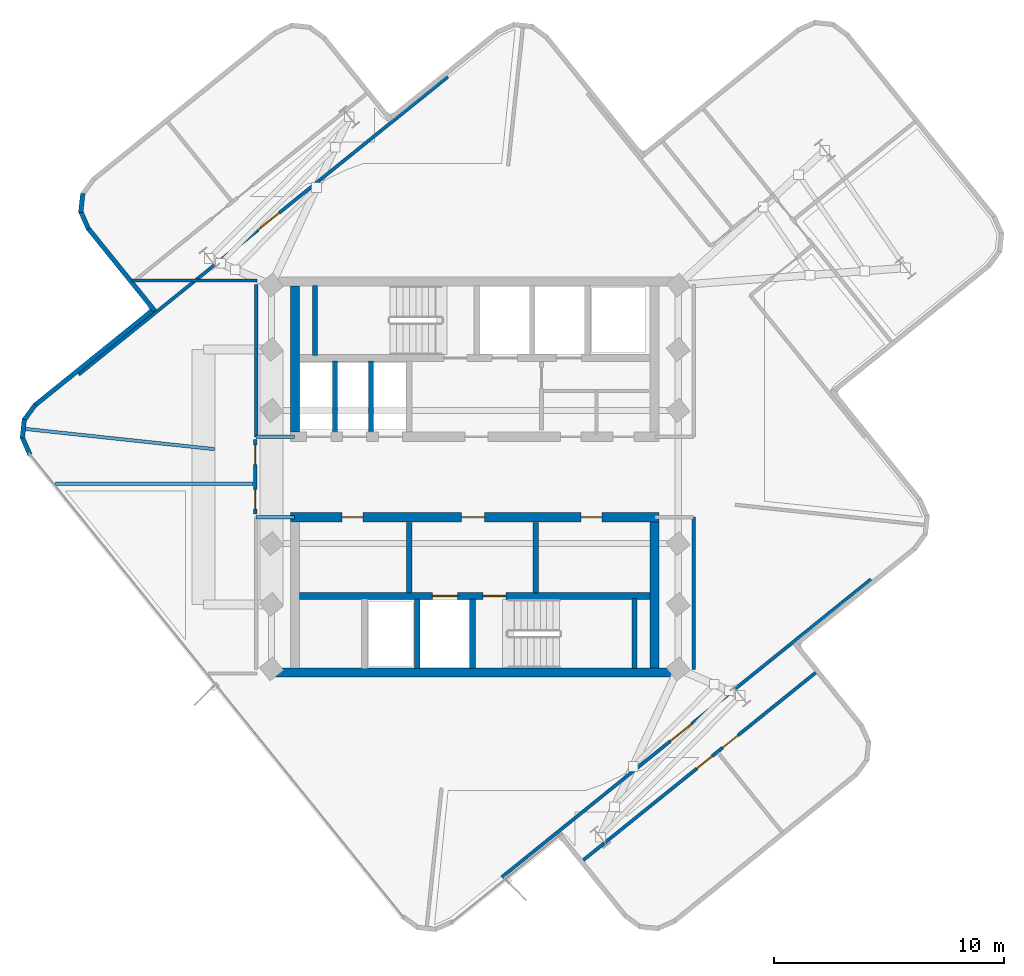
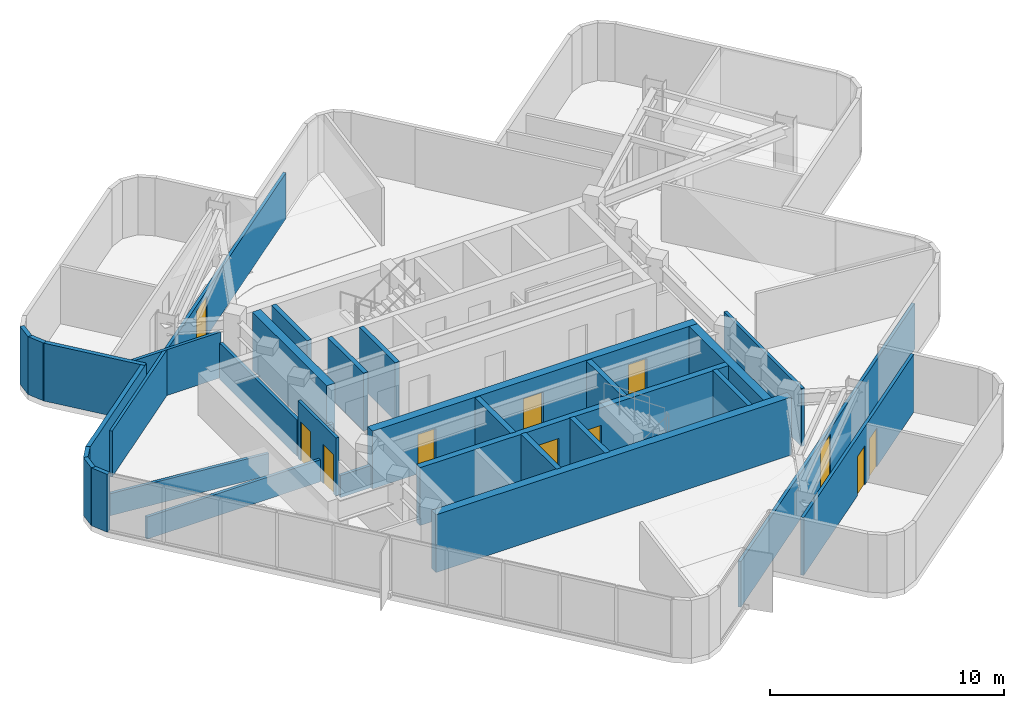
# One storey, part 5 of 9: 31 walls, 11 doors, 11 openings.
"""IFC4 building model written with IfcOpenShell, lengths in metres."""

from ifc_helpers import new_model, si_unit, direction, frame, frame_2d, origin, place, context, subcontext, project, spatial, rectangle, extrude, material, layer, layer_set, type_object, element, fill, save


model = new_model("IFC4")

# Units and contexts
model_context = context("Model", 3, precision=1e-05, world=origin(), true_north=direction((0.0, 1.0)))
body_context = subcontext(model_context, "Body", "Model", "MODEL_VIEW")
ifc_project = project(units=[si_unit("LENGTHUNIT", "METRE"), si_unit("AREAUNIT", "SQUARE_METRE"), si_unit("VOLUMEUNIT", "CUBIC_METRE"), si_unit("PLANEANGLEUNIT", "RADIAN"), si_unit("MASSUNIT", "GRAM", prefix="KILO")], contexts=[model_context])

# Site, building, storey
site_placement = place(None, origin())
site = spatial("IfcSite", under=ifc_project, at=site_placement, CompositionType="ELEMENT")
building_placement = place(site_placement, origin())
building = spatial("IfcBuilding", under=site, at=building_placement, Name="Solmarez Civic Tower", CompositionType="ELEMENT")
storey_placement = place(building_placement, frame((0.0, 0.0, 235.97998046875)))
storey = spatial("IfcBuildingStorey", under=building, at=storey_placement, Name="L63", CompositionType="ELEMENT", Elevation=235.97998046875)

# Walls
ifc_material_1 = material(Name="Concrete C50/60", Category="concrete")
ifc_layer_1 = layer(ifc_material_1, 0.39990234375)
ifc_layer_set_1 = layer_set([ifc_layer_1], Name="Concrete C50/60")
wall_type_1 = type_object("IfcWallType", Name="WALL-CORE-400", PredefinedType="SHEAR", material=ifc_layer_set_1)
wall_1_placement = place(storey_placement, frame((-7.820068359375, 1.949951171875, 0.0), z_axis=(0.0, 0.0, 1.0), x_axis=(0.0, 1.0, 0.0)))
element("IfcWall", 1, at=wall_1_placement, inside=storey, type_object=wall_type_1, Name="L63 Split-Core Structural Wall NCW-W-L63", PredefinedType="SHEAR", context=body_context, shape_type="SweptSolid", body=[
    extrude(rectangle(XDim=6.360107421875, YDim=0.39990234375, at=frame_2d((3.18017578125, 0.0))), origin(), (0.0, 0.0, 1.0), 3.02001953125),
])
wall_2_placement = place(storey_placement, frame((8.780029296875, -8.510009765625, 0.0), z_axis=(0.0, 0.0, 1.0), x_axis=(-1.0, 0.0, 0.0)))
element("IfcWall", 2, at=wall_2_placement, inside=storey, type_object=wall_type_1, Name="L63 Split-Core Structural Wall SCW-S-L63", PredefinedType="SHEAR", context=body_context, shape_type="SweptSolid", body=[
    extrude(rectangle(XDim=17.56005859375, YDim=0.39990234375, at=frame_2d((8.780029296875, 0.0))), origin(), (0.0, 0.0, 1.0), 3.02001953125),
])

# Wall, openings, doors
wall_3_placement = place(storey_placement, frame((-8.02001953125, -1.75, 0.0), z_axis=(0.0, 0.0, 1.0), x_axis=(1.0, 0.0, 0.0)))
wall_3 = element("IfcWall", 3, at=wall_3_placement, inside=storey, type_object=wall_type_1, Name="L63 Split-Core Structural Wall SCW-N-L63", PredefinedType="SHEAR", context=body_context, shape_type="SweptSolid", body=[
    extrude(rectangle(XDim=16.0400390625, YDim=0.39990234375, at=frame_2d((8.02001953125, 0.0))), origin(), (0.0, 0.0, 1.0), 3.02001953125),
])
opening_1_placement = place(wall_3_placement, frame((7.449951171875, 0.0, 0.0)))
opening_1 = element("IfcOpeningElement", 4, at=opening_1_placement, cuts=wall_3, Name="Opening D-04", PredefinedType="OPENING", context=body_context, shape_type="SweptSolid", body=[
    extrude(rectangle(XDim=1.0, YDim=2.10009765625, at=frame_2d((0.5, 1.050048828125))), frame((0.0, 0.2099609375, 0.0), z_axis=(0.0, -1.0, 0.0), x_axis=(1.0, 0.0, 0.0)), (0.0, 0.0, 1.0), 0.419921875),
])
opening_2_placement = place(wall_3_placement, frame((12.64990234375, 0.0, 0.0)))
opening_2 = element("IfcOpeningElement", 5, at=opening_2_placement, cuts=wall_3, Name="Opening D-09", PredefinedType="OPENING", context=body_context, shape_type="SweptSolid", body=[
    extrude(rectangle(XDim=0.89990234375, YDim=2.06005859375, at=frame_2d((0.449951171875, 1.030029296875))), frame((0.0, 0.2099609375, 0.0), z_axis=(0.0, -1.0, 0.0), x_axis=(1.0, 0.0, 0.0)), (0.0, 0.0, 1.0), 0.419921875),
])
opening_3_placement = place(wall_3_placement, frame((2.25, 0.0, 0.0)))
opening_3 = element("IfcOpeningElement", 6, at=opening_3_placement, cuts=wall_3, Name="Opening D-09", PredefinedType="OPENING", context=body_context, shape_type="SweptSolid", body=[
    extrude(rectangle(XDim=0.89990234375, YDim=2.06005859375, at=frame_2d((0.449951171875, 1.030029296875))), frame((0.0, 0.2099609375, 0.0), z_axis=(0.0, -1.0, 0.0), x_axis=(1.0, 0.0, 0.0)), (0.0, 0.0, 1.0), 0.419921875),
])
ifc_material_2 = material(Name="Steel-Faced Acoustic Fire Door", Category="steel")
door_type_1 = type_object("IfcDoorType", Name="DOOR-FD60-1000", OperationType="NOTDEFINED", PredefinedType="DOOR", material=ifc_material_2)
door_1_placement = place(opening_1_placement, origin())
door_1 = element("IfcDoor", 7, at=door_1_placement, inside=storey, type_object=door_type_1, Name="L63 South Firefighting Lobby Door", OperationType="SINGLE_SWING_LEFT", OverallHeight=2.10009765625, OverallWidth=1.0, PredefinedType="DOOR", context=body_context, shape_type="SweptSolid", body=[
    extrude(rectangle(XDim=1.0, YDim=2.10009765625, at=frame_2d((0.5, 1.050048828125))), frame((0.0, 0.02490234375, 0.0), z_axis=(0.0, -1.0, 0.0), x_axis=(1.0, 0.0, 0.0)), (0.0, 0.0, 1.0), 0.050048828125),
])
fill(opening_1, door_1)
ifc_material_3 = material(Name="Fire-Rated Service Core Door", Category="wood")
door_type_2 = type_object("IfcDoorType", Name="DOOR-FD60-900", OperationType="NOTDEFINED", PredefinedType="DOOR", material=ifc_material_3)
door_2_placement = place(opening_2_placement, origin())
door_2 = element("IfcDoor", 8, at=door_2_placement, inside=storey, type_object=door_type_2, Name="L63 Freed Hoistway Mailroom Door", OperationType="SINGLE_SWING_LEFT", OverallHeight=2.06005859375, OverallWidth=0.89990234375, PredefinedType="DOOR", context=body_context, shape_type="SweptSolid", body=[
    extrude(rectangle(XDim=0.89990234375, YDim=2.06005859375, at=frame_2d((0.449951171875, 1.030029296875))), frame((0.0, 0.02490234375, 0.0), z_axis=(0.0, -1.0, 0.0), x_axis=(1.0, 0.0, 0.0)), (0.0, 0.0, 1.0), 0.050048828125),
])
fill(opening_2, door_2)
door_3_placement = place(opening_3_placement, origin())
door_3 = element("IfcDoor", 9, at=door_3_placement, inside=storey, type_object=door_type_2, Name="L63 Delegation Tea Pantry Door", OperationType="SINGLE_SWING_RIGHT", OverallHeight=2.06005859375, OverallWidth=0.89990234375, PredefinedType="DOOR", context=body_context, shape_type="SweptSolid", body=[
    extrude(rectangle(XDim=0.89990234375, YDim=2.06005859375, at=frame_2d((0.449951171875, 1.030029296875))), frame((0.0, 0.02490234375, 0.0), z_axis=(0.0, -1.0, 0.0), x_axis=(1.0, 0.0, 0.0)), (0.0, 0.0, 1.0), 0.050048828125),
])
fill(opening_3, door_3)

# Walls
wall_4_placement = place(storey_placement, frame((7.820068359375, -1.949951171875, 0.0), z_axis=(0.0, 0.0, 1.0), x_axis=(0.0, -1.0, 0.0)))
element("IfcWall", 10, at=wall_4_placement, inside=storey, type_object=wall_type_1, Name="L63 Split-Core Structural Wall SCW-E-L63", PredefinedType="SHEAR", context=body_context, shape_type="SweptSolid", body=[
    extrude(rectangle(XDim=6.360107421875, YDim=0.39990234375, at=frame_2d((3.18017578125, 0.0))), origin(), (0.0, 0.0, 1.0), 3.02001953125),
])
ifc_material_4 = material(Name="Precast concrete C40/50", Category="concrete")
ifc_layer_2 = layer(ifc_material_4, 0.199951171875)
ifc_layer_set_2 = layer_set([ifc_layer_2], Name="Precast concrete C40/50")
wall_type_2 = type_object("IfcWallType", Name="WALL-EXT-200", PredefinedType="SOLIDWALL", material=ifc_layer_set_2)
wall_5_placement = place(storey_placement, frame((-19.35888671875, 0.970947265625, 0.0), z_axis=(0.0, 0.0, 1.0), x_axis=(-0.405301422885, 0.914183108905, 0.0)))
element("IfcWall", 11, at=wall_5_placement, inside=storey, type_object=wall_type_2, Name="L63 Exterior Precast Wall 7", PredefinedType="SOLIDWALL", context=body_context, shape_type="SweptSolid", body=[
    extrude(rectangle(XDim=0.839111328125, YDim=0.199951171875, at=frame_2d((0.41943359375, 0.0))), origin(), (0.0, 0.0, 1.0), 3.02001953125),
])
wall_6_placement = place(storey_placement, frame((-19.69189453125, 1.68994140625, 0.0), z_axis=(0.0, 0.0, 1.0), x_axis=(0.10656447925, 0.994305793889, 0.0)))
element("IfcWall", 12, at=wall_6_placement, inside=storey, type_object=wall_type_2, Name="L63 Exterior Precast Wall 8", PredefinedType="SOLIDWALL", context=body_context, shape_type="SweptSolid", body=[
    extrude(rectangle(XDim=0.82470703125, YDim=0.199951171875, at=frame_2d((0.412353515625, 0.0))), origin(), (0.0, 0.0, 1.0), 3.02001953125),
])
wall_7_placement = place(storey_placement, frame((-19.6220703125, 2.465087890625, 0.0), z_axis=(0.0, 0.0, 1.0), x_axis=(0.590315771763, 0.807172403894, 0.0)))
element("IfcWall", 13, at=wall_7_placement, inside=storey, type_object=wall_type_2, Name="L63 Exterior Precast Wall 9", PredefinedType="SOLIDWALL", context=body_context, shape_type="SweptSolid", body=[
    extrude(rectangle(XDim=0.838623046875, YDim=0.199951171875, at=frame_2d((0.41943359375, 0.0))), origin(), (0.0, 0.0, 1.0), 3.02001953125),
])
wall_8_placement = place(storey_placement, frame((-19.160888671875, 3.10595703125, 0.0), z_axis=(0.0, 0.0, 1.0), x_axis=(0.778151520732, 0.62807659627, 0.0)))
element("IfcWall", 14, at=wall_8_placement, inside=storey, type_object=wall_type_2, Name="L63 Exterior Precast Wall 10", PredefinedType="SOLIDWALL", context=body_context, shape_type="SweptSolid", body=[
    extrude(rectangle(XDim=6.741455078125, YDim=0.199951171875, at=frame_2d((3.37060546875, 0.0))), origin(), (0.0, 0.0, 1.0), 3.02001953125),
])
wall_9_placement = place(storey_placement, frame((-13.927001953125, 7.22802734375, 0.0), z_axis=(0.0, 0.0, 1.0), x_axis=(-0.628127692416, 0.778110276259, 0.0)))
element("IfcWall", 15, at=wall_9_placement, inside=storey, type_object=wall_type_2, Name="L63 Exterior Precast Wall 13", PredefinedType="SOLIDWALL", context=body_context, shape_type="SweptSolid", body=[
    extrude(rectangle(XDim=4.640869140625, YDim=0.199951171875, at=frame_2d((2.3203125, 0.0))), origin(), (0.0, 0.0, 1.0), 3.02001953125),
])
wall_10_placement = place(storey_placement, frame((-16.81591796875, 10.797119140625, 0.0), z_axis=(0.0, 0.0, 1.0), x_axis=(-0.404435765222, 0.914566406451, 0.0)))
element("IfcWall", 16, at=wall_10_placement, inside=storey, type_object=wall_type_2, Name="L63 Exterior Precast Wall 14", PredefinedType="SOLIDWALL", context=body_context, shape_type="SweptSolid", body=[
    extrude(rectangle(XDim=0.83837890625, YDim=0.199951171875, at=frame_2d((0.419189453125, 0.0))), origin(), (0.0, 0.0, 1.0), 3.02001953125),
])
wall_11_placement = place(storey_placement, frame((-17.14794921875, 11.51611328125, 0.0), z_axis=(0.0, 0.0, 1.0), x_axis=(0.106595853222, 0.994302430891, 0.0)))
element("IfcWall", 17, at=wall_11_placement, inside=storey, type_object=wall_type_2, Name="L63 Exterior Precast Wall 15", PredefinedType="SOLIDWALL", context=body_context, shape_type="SweptSolid", body=[
    extrude(rectangle(XDim=0.824462890625, YDim=0.199951171875, at=frame_2d((0.412109375, 0.0))), origin(), (0.0, 0.0, 1.0), 3.02001953125),
])
ifc_material_5 = material(Name="Gypsum Board Acoustic Steel-Stud Partition", Category="steel")
ifc_layer_3 = layer(ifc_material_5, 0.14990234375)
ifc_layer_set_3 = layer_set([ifc_layer_3], Name="Gypsum Board Acoustic Steel-Stud Partition")
wall_type_3 = type_object("IfcWallType", Name="WALL-INT-FIRE-150", PredefinedType="PARTITIONING", material=ifc_layer_set_3)
wall_12_placement = place(storey_placement, frame((-9.52001953125, 1.75, 0.0), z_axis=(0.0, 0.0, 1.0), x_axis=(0.0, 1.0, 0.0)))
element("IfcWall", 18, at=wall_12_placement, inside=storey, type_object=wall_type_3, Name="L63 Interior Partition CHW-L63-WN1", PredefinedType="PARTITIONING", context=body_context, shape_type="SweptSolid", body=[
    extrude(rectangle(XDim=6.6298828125, YDim=0.14990234375, at=frame_2d((3.31494140625, 0.0))), origin(), (0.0, 0.0, 1.0), 1.904052734375),
])
for number, where, z_axis, x_axis, name in (
    (19, (-7.85009765625, 1.75, 0.0), (0.0, 0.0, 1.0), (-1.0, 0.0, 0.0), "L63 Interior Partition CHW-L63-WN3"),
    (20, (-7.85009765625, -1.75, 0.0), (0.0, 0.0, 1.0), (-1.0, 0.0, 0.0), "L63 Interior Partition CHW-L63-WS3"),
):
    element("IfcWall", number, at=place(storey_placement, frame(where, z_axis=z_axis, x_axis=x_axis)), inside=storey, type_object=wall_type_3, Name=name, PredefinedType="PARTITIONING", context=body_context, shape_type="SweptSolid", body=[
        extrude(rectangle(XDim=1.669921875, YDim=0.14990234375, at=frame_2d((0.8349609375, 0.0))), origin(), (0.0, 0.0, 1.0), 1.14990234375),
    ])
wall_13_placement = place(storey_placement, frame((9.52001953125, -8.3798828125, 0.0), z_axis=(0.0, 0.0, 1.0), x_axis=(0.0, 1.0, 0.0)))
element("IfcWall", 21, at=wall_13_placement, inside=storey, type_object=wall_type_3, Name="L63 Interior Partition CHW-L63-ES1", PredefinedType="PARTITIONING", context=body_context, shape_type="SweptSolid", body=[
    extrude(rectangle(XDim=6.6298828125, YDim=0.14990234375, at=frame_2d((3.31494140625, 0.0))), origin(), (0.0, 0.0, 1.0), 3.02001953125),
])
ifc_layer_4 = layer(ifc_material_5, 0.14501953125)
ifc_layer_set_4 = layer_set([ifc_layer_4], Name="Gypsum Board Acoustic Steel-Stud Partition")
wall_type_4 = type_object("IfcWallType", Name="WALL-INT-PART-150", PredefinedType="PARTITIONING", material=ifc_layer_set_4)
wall_14_placement = place(storey_placement, frame((-18.241943359375, -0.300048828125, 0.0), z_axis=(0.0, 0.0, 1.0), x_axis=(1.0, 0.0, 0.0)))
element("IfcWall", 22, at=wall_14_placement, inside=storey, type_object=wall_type_4, Name="L63 Interior Partition PT-L63-WH-DIV", PredefinedType="PARTITIONING", context=body_context, shape_type="SweptSolid", body=[
    extrude(rectangle(XDim=8.58203125, YDim=0.14501953125, at=frame_2d((4.291015625, 0.0))), origin(), (0.0, 0.0, 1.0), 1.14990234375),
])
wall_15_placement = place(storey_placement, frame((-14.910888671875, 8.550048828125, 0.0), z_axis=(0.0, 0.0, 1.0), x_axis=(1.0, 0.0, 0.0)))
element("IfcWall", 23, at=wall_15_placement, inside=storey, type_object=wall_type_4, Name="L63 Interior Partition PT-L63-WH-BN", PredefinedType="PARTITIONING", context=body_context, shape_type="SweptSolid", body=[
    extrude(rectangle(XDim=5.430908203125, YDim=0.14501953125, at=frame_2d((2.71533203125, 0.0))), origin(), (0.0, 0.0, 1.0), 2.39013671875),
])

# Wall, openings, doors
wall_16_placement = place(storey_placement, frame((-9.56005859375, -1.6201171875, 0.0), z_axis=(0.0, 0.0, 1.0), x_axis=(0.0, 1.0, 0.0)))
wall_16 = element("IfcWall", 24, at=wall_16_placement, inside=storey, type_object=wall_type_4, Name="L63 Interior Partition PT-L63-WH-ENT", PredefinedType="PARTITIONING", context=body_context, shape_type="SweptSolid", body=[
    extrude(rectangle(XDim=3.240234375, YDim=0.14501953125, at=frame_2d((1.6201171875, 0.0))), origin(), (0.0, 0.0, 1.0), 3.02001953125),
])
opening_4_placement = place(wall_16_placement, frame((0.219970703125, 0.0, 0.0)))
opening_4 = element("IfcOpeningElement", 25, at=opening_4_placement, cuts=wall_16, Name="Opening D-14", PredefinedType="OPENING", context=body_context, shape_type="SweptSolid", body=[
    extrude(rectangle(XDim=0.860107421875, YDim=2.0400390625, at=frame_2d((0.43017578125, 1.02001953125))), frame((0.0, 0.08251953125, 0.0), z_axis=(0.0, -1.0, 0.0), x_axis=(1.0, 0.0, 0.0)), (0.0, 0.0, 1.0), 0.1650390625),
])
opening_5_placement = place(wall_16_placement, frame((2.159912109375, 0.0, 0.0)))
opening_5 = element("IfcOpeningElement", 26, at=opening_5_placement, cuts=wall_16, Name="Opening D-14", PredefinedType="OPENING", context=body_context, shape_type="SweptSolid", body=[
    extrude(rectangle(XDim=0.860107421875, YDim=2.0400390625, at=frame_2d((0.43017578125, 1.02001953125))), frame((0.0, 0.08251953125, 0.0), z_axis=(0.0, -1.0, 0.0), x_axis=(1.0, 0.0, 0.0)), (0.0, 0.0, 1.0), 0.1650390625),
])
ifc_material_6 = material(Name="Timber Storage and Pantry Door", Category="wood")
door_type_3 = type_object("IfcDoorType", Name="DOOR-INT-850", OperationType="NOTDEFINED", PredefinedType="DOOR", material=ifc_material_6)
door_4_placement = place(opening_4_placement, origin())
door_4 = element("IfcDoor", 27, at=door_4_placement, inside=storey, type_object=door_type_3, Name="L63 Civic Multi-Purpose Room West Second Door", OperationType="SINGLE_SWING_RIGHT", OverallHeight=2.0400390625, OverallWidth=0.860107421875, PredefinedType="DOOR", context=body_context, shape_type="SweptSolid", body=[
    extrude(rectangle(XDim=0.860107421875, YDim=2.0400390625, at=frame_2d((0.43017578125, 1.02001953125))), frame((0.0, 0.02490234375, 0.0), z_axis=(0.0, -1.0, 0.0), x_axis=(1.0, 0.0, 0.0)), (0.0, 0.0, 1.0), 0.050048828125),
])
fill(opening_4, door_4)
door_5_placement = place(opening_5_placement, origin())
door_5 = element("IfcDoor", 28, at=door_5_placement, inside=storey, type_object=door_type_3, Name="L63 Delegates Sitting Lounge West First Door", OperationType="SINGLE_SWING_LEFT", OverallHeight=2.0400390625, OverallWidth=0.860107421875, PredefinedType="DOOR", context=body_context, shape_type="SweptSolid", body=[
    extrude(rectangle(XDim=0.860107421875, YDim=2.0400390625, at=frame_2d((0.43017578125, 1.02001953125))), frame((0.0, 0.02490234375, 0.0), z_axis=(0.0, -1.0, 0.0), x_axis=(1.0, 0.0, 0.0)), (0.0, 0.0, 1.0), 0.050048828125),
])
fill(opening_5, door_5)

# Wall
wall_17_placement = place(storey_placement, frame((-11.3349609375, 1.2109375, 0.0), z_axis=(0.0, 0.0, 1.0), x_axis=(-0.994330067434, 0.106337749634, 0.0)))
element("IfcWall", 29, at=wall_17_placement, inside=storey, type_object=wall_type_4, Name="L63 Interior Partition PT-L63-QDIV-2", PredefinedType="PARTITIONING", context=body_context, shape_type="SweptSolid", body=[
    extrude(rectangle(XDim=8.295166015625, YDim=0.14501953125, at=frame_2d((4.1474609375, 0.0))), origin(), (0.0, 0.0, 1.0), 1.14990234375),
])

# Wall, opening, door
wall_18_placement = place(storey_placement, frame((-17.239013671875, 4.451904296875, 0.0), z_axis=(0.0, 0.0, 1.0), x_axis=(0.778262183237, 0.627939466942, 0.0)))
wall_18 = element("IfcWall", 30, at=wall_18_placement, inside=storey, type_object=wall_type_4, Name="L63 Interior Partition PT-L63-N-ENT", PredefinedType="PARTITIONING", context=body_context, shape_type="SweptSolid", body=[
    extrude(rectangle(XDim=20.640869140625, YDim=0.14501953125, at=frame_2d((10.3203125, 0.0))), origin(), (0.0, 0.0, 1.0), 2.39013671875),
])
opening_6_placement = place(wall_18_placement, frame((10.02001953125, 0.0, 0.0)))
opening_6 = element("IfcOpeningElement", 31, at=opening_6_placement, cuts=wall_18, Name="Opening D-11", PredefinedType="OPENING", context=body_context, shape_type="SweptSolid", body=[
    extrude(rectangle(XDim=1.199951171875, YDim=2.10009765625, at=frame_2d((0.60009765625, 1.050048828125))), frame((0.0, 0.08251953125, 0.0), z_axis=(0.0, -1.0, 0.0), x_axis=(1.0, 0.0, 0.0)), (0.0, 0.0, 1.0), 0.1650390625),
])
ifc_material_7 = material(Name="Glazed-Vision Acoustic Chamber Door", Category="wood")
door_type_4 = type_object("IfcDoorType", Name="DOOR-INT-1200", OperationType="NOTDEFINED", PredefinedType="DOOR", material=ifc_material_7)
door_6_placement = place(opening_6_placement, origin())
door_6 = element("IfcDoor", 32, at=door_6_placement, inside=storey, type_object=door_type_4, Name="L63 Catering Servery First North Door", OperationType="SINGLE_SWING_LEFT", OverallHeight=2.10009765625, OverallWidth=1.199951171875, PredefinedType="DOOR", context=body_context, shape_type="SweptSolid", body=[
    extrude(rectangle(XDim=1.199951171875, YDim=2.10009765625, at=frame_2d((0.60009765625, 1.050048828125))), frame((0.0, 0.02490234375, 0.0), z_axis=(0.0, -1.0, 0.0), x_axis=(1.0, 0.0, 0.0)), (0.0, 0.0, 1.0), 0.050048828125),
])
fill(opening_6, door_6)

wall_19_placement = place(storey_placement, frame((17.239013671875, -4.451904296875, 0.0), z_axis=(0.0, 0.0, 1.0), x_axis=(-0.778262183237, -0.627939466942, 0.0)))
wall_19 = element("IfcWall", 33, at=wall_19_placement, inside=storey, type_object=wall_type_4, Name="L63 Interior Partition PT-L63-S-ENT", PredefinedType="PARTITIONING", context=body_context, shape_type="SweptSolid", body=[
    extrude(rectangle(XDim=20.640869140625, YDim=0.14501953125, at=frame_2d((10.3203125, 0.0))), origin(), (0.0, 0.0, 1.0), 2.39013671875),
])
opening_7_placement = place(wall_19_placement, frame((10.02001953125, 0.0, 0.0)))
opening_7 = element("IfcOpeningElement", 34, at=opening_7_placement, cuts=wall_19, Name="Opening D-11", PredefinedType="OPENING", context=body_context, shape_type="SweptSolid", body=[
    extrude(rectangle(XDim=1.199951171875, YDim=2.10009765625, at=frame_2d((0.60009765625, 1.050048828125))), frame((0.0, 0.08251953125, 0.0), z_axis=(0.0, -1.0, 0.0), x_axis=(1.0, 0.0, 0.0)), (0.0, 0.0, 1.0), 0.1650390625),
])
door_7_placement = place(opening_7_placement, origin())
door_7 = element("IfcDoor", 35, at=door_7_placement, inside=storey, type_object=door_type_4, Name="L63 Civic Multi-Purpose Room First South Door", OperationType="SINGLE_SWING_LEFT", OverallHeight=2.10009765625, OverallWidth=1.199951171875, PredefinedType="DOOR", context=body_context, shape_type="SweptSolid", body=[
    extrude(rectangle(XDim=1.199951171875, YDim=2.10009765625, at=frame_2d((0.60009765625, 1.050048828125))), frame((0.0, 0.02490234375, 0.0), z_axis=(0.0, -1.0, 0.0), x_axis=(1.0, 0.0, 0.0)), (0.0, 0.0, 1.0), 0.050048828125),
])
fill(opening_7, door_7)

# Wall, openings, doors
wall_20_placement = place(storey_placement, frame((4.68994140625, -16.697021484375, 0.0), z_axis=(0.0, 0.0, 1.0), x_axis=(0.778274338812, 0.62792440114, 0.0)))
wall_20 = element("IfcWall", 36, at=wall_20_placement, inside=storey, type_object=wall_type_4, Name="L63 Interior Partition PT-L63-S-SCUT", PredefinedType="PARTITIONING", context=body_context, shape_type="SweptSolid", body=[
    extrude(rectangle(XDim=13.070068359375, YDim=0.14501953125, at=frame_2d((6.53515625, 0.0))), origin(), (0.0, 0.0, 1.0), 3.02001953125),
])
opening_8_placement = place(wall_20_placement, frame((6.385009765625, 0.0, 0.0)))
opening_8 = element("IfcOpeningElement", 37, at=opening_8_placement, cuts=wall_20, Name="Opening D-14", PredefinedType="OPENING", context=body_context, shape_type="SweptSolid", body=[
    extrude(rectangle(XDim=0.860107421875, YDim=2.0400390625, at=frame_2d((0.43017578125, 1.02001953125))), frame((0.0, 0.08251953125, 0.0), z_axis=(0.0, -1.0, 0.0), x_axis=(1.0, 0.0, 0.0)), (0.0, 0.0, 1.0), 0.1650390625),
])
opening_9_placement = place(wall_20_placement, frame((7.824951171875, 0.0, 0.0)))
opening_9 = element("IfcOpeningElement", 38, at=opening_9_placement, cuts=wall_20, Name="Opening D-14", PredefinedType="OPENING", context=body_context, shape_type="SweptSolid", body=[
    extrude(rectangle(XDim=0.860107421875, YDim=2.0400390625, at=frame_2d((0.43017578125, 1.02001953125))), frame((0.0, 0.08251953125, 0.0), z_axis=(0.0, -1.0, 0.0), x_axis=(1.0, 0.0, 0.0)), (0.0, 0.0, 1.0), 0.1650390625),
])
door_8_placement = place(opening_8_placement, origin())
door_8 = element("IfcDoor", 39, at=door_8_placement, inside=storey, type_object=door_type_3, Name="L63 Delegates Sitting Lounge Third South Door", OperationType="SINGLE_SWING_RIGHT", OverallHeight=2.0400390625, OverallWidth=0.860107421875, PredefinedType="DOOR", context=body_context, shape_type="SweptSolid", body=[
    extrude(rectangle(XDim=0.860107421875, YDim=2.0400390625, at=frame_2d((0.43017578125, 1.02001953125))), frame((0.0, 0.02490234375, 0.0), z_axis=(0.0, -1.0, 0.0), x_axis=(1.0, 0.0, 0.0)), (0.0, 0.0, 1.0), 0.050048828125),
])
fill(opening_8, door_8)
door_9_placement = place(opening_9_placement, origin())
door_9 = element("IfcDoor", 40, at=door_9_placement, inside=storey, type_object=door_type_3, Name="L63 Catering Servery Second South Door", OperationType="SINGLE_SWING_LEFT", OverallHeight=2.0400390625, OverallWidth=0.860107421875, PredefinedType="DOOR", context=body_context, shape_type="SweptSolid", body=[
    extrude(rectangle(XDim=0.860107421875, YDim=2.0400390625, at=frame_2d((0.43017578125, 1.02001953125))), frame((0.0, 0.02490234375, 0.0), z_axis=(0.0, -1.0, 0.0), x_axis=(1.0, 0.0, 0.0)), (0.0, 0.0, 1.0), 0.050048828125),
])
fill(opening_9, door_9)

ifc_layer_5 = layer(ifc_material_1, 0.300048828125)
ifc_layer_set_5 = layer_set([ifc_layer_5], Name="Concrete C50/60")
wall_type_5 = type_object("IfcWallType", Name="WALL-STR-300", PredefinedType="SOLIDWALL", material=ifc_layer_set_5)
wall_21_placement = place(storey_placement, frame((-7.6201171875, -5.179931640625, 0.0), z_axis=(0.0, 0.0, 1.0), x_axis=(1.0, 0.0, 0.0)))
wall_21 = element("IfcWall", 41, at=wall_21_placement, inside=storey, type_object=wall_type_5, Name="L63 Split-Core Structural Wall SCW-M-L63", PredefinedType="SOLIDWALL", context=body_context, shape_type="SweptSolid", body=[
    extrude(rectangle(XDim=15.240234375, YDim=0.300048828125, at=frame_2d((7.6201171875, 0.0))), origin(), (0.0, 0.0, 1.0), 3.02001953125),
])
opening_10_placement = place(wall_21_placement, frame((5.77001953125, 0.0, 0.0)))
opening_10 = element("IfcOpeningElement", 42, at=opening_10_placement, cuts=wall_21, Name="Opening LD-02", PredefinedType="OPENING", context=body_context, shape_type="SweptSolid", body=[
    extrude(rectangle(XDim=1.10009765625, YDim=2.14990234375, at=frame_2d((0.550048828125, 1.074951171875))), frame((0.0, 0.159912109375, 0.0), z_axis=(0.0, -1.0, 0.0), x_axis=(1.0, 0.0, 0.0)), (0.0, 0.0, 1.0), 0.320068359375),
])
opening_11_placement = place(wall_21_placement, frame((7.969970703125, 0.0, 0.0)))
opening_11 = element("IfcOpeningElement", 43, at=opening_11_placement, cuts=wall_21, Name="Opening D-05", PredefinedType="OPENING", context=body_context, shape_type="SweptSolid", body=[
    extrude(rectangle(XDim=1.0, YDim=2.10009765625, at=frame_2d((0.5, 1.050048828125))), frame((0.0, 0.159912109375, 0.0), z_axis=(0.0, -1.0, 0.0), x_axis=(1.0, 0.0, 0.0)), (0.0, 0.0, 1.0), 0.320068359375),
])
ifc_material_8 = material(Name="Fire-Rated Stairwell Exit Door", Category="wood")
door_type_5 = type_object("IfcDoorType", Name="DOOR-FD90-1000", OperationType="NOTDEFINED", PredefinedType="DOOR", material=ifc_material_8)
door_10_placement = place(opening_11_placement, origin())
door_10 = element("IfcDoor", 44, at=door_10_placement, inside=storey, type_object=door_type_5, Name="L63 South Exit Stair Door ST-2", OperationType="SINGLE_SWING_LEFT", OverallHeight=2.10009765625, OverallWidth=1.0, PredefinedType="DOOR", context=body_context, shape_type="SweptSolid", body=[
    extrude(rectangle(XDim=1.0, YDim=2.10009765625, at=frame_2d((0.5, 1.050048828125))), frame((0.0, 0.02490234375, 0.0), z_axis=(0.0, -1.0, 0.0), x_axis=(1.0, 0.0, 0.0)), (0.0, 0.0, 1.0), 0.050048828125),
])
fill(opening_11, door_10)
ifc_material_9 = material(Name="Stainless Firefighting Lift Landing Sliding Door", Category="aluminium")
door_type_6 = type_object("IfcDoorType", Name="DOOR-LD-FF-1100", OperationType="DOUBLE_DOOR_SLIDING", PredefinedType="DOOR", material=ifc_material_9)
door_11_placement = place(opening_10_placement, origin())
door_11 = element("IfcDoor", 45, at=door_11_placement, inside=storey, type_object=door_type_6, Name="L63 Firefighting Lift Landing Door FFL-2", OperationType="DOUBLE_DOOR_SLIDING", OverallHeight=2.14990234375, OverallWidth=1.10009765625, PredefinedType="DOOR", context=body_context, shape_type="SweptSolid", body=[
    extrude(rectangle(XDim=1.10009765625, YDim=2.14990234375, at=frame_2d((0.550048828125, 1.074951171875))), frame((0.0, 0.02490234375, 0.0), z_axis=(0.0, -1.0, 0.0), x_axis=(1.0, 0.0, 0.0)), (0.0, 0.0, 1.0), 0.050048828125),
])
fill(opening_10, door_11)

# Walls
for number, where, z_axis, x_axis, name in (
    (46, (-6.949951171875, 5.280029296875, 0.0), (0.0, 0.0, 1.0), (0.0, 1.0, 0.0), "L63 Split-Core Structural Wall SHW-NW-L63"),
    (47, (6.949951171875, -8.340087890625, 0.0), (0.0, 0.0, 1.0), (0.0, 1.0, 0.0), "L63 Split-Core Structural Wall SHW-SE-L63"),
):
    element("IfcWall", number, at=place(storey_placement, frame(where, z_axis=z_axis, x_axis=x_axis)), inside=storey, type_object=wall_type_5, Name=name, PredefinedType="SOLIDWALL", context=body_context, shape_type="SweptSolid", body=[
        extrude(rectangle(XDim=3.06005859375, YDim=0.219970703125, at=frame_2d((1.530029296875, 0.0))), origin(), (0.0, 0.0, 1.0), 3.02001953125),
    ])
for number, where, z_axis, x_axis, name in (
    (48, (-0.10009765625, -8.340087890625, 0.0), (0.0, 0.0, 1.0), (0.0, 1.0, 0.0), "L63 Split-Core Structural Wall SHW-S1-L63"),
    (49, (-2.5, -8.340087890625, 0.0), (0.0, 0.0, 1.0), (0.0, 1.0, 0.0), "L63 Split-Core Structural Wall SHW-S2-L63"),
):
    element("IfcWall", number, at=place(storey_placement, frame(where, z_axis=z_axis, x_axis=x_axis)), inside=storey, type_object=wall_type_5, Name=name, PredefinedType="SOLIDWALL", context=body_context, shape_type="SweptSolid", body=[
        extrude(rectangle(XDim=3.0400390625, YDim=0.25, at=frame_2d((1.52001953125, 0.0))), origin(), (0.0, 0.0, 1.0), 3.02001953125),
    ])
for number, where, z_axis, x_axis, name in (
    (50, (-2.85009765625, -5.050048828125, 0.0), (0.0, 0.0, 1.0), (0.0, 1.0, 0.0), "L63 Split-Core Structural Wall SHW-SL1-L63"),
    (51, (2.64990234375, -5.050048828125, 0.0), (0.0, 0.0, 1.0), (0.0, 1.0, 0.0), "L63 Split-Core Structural Wall SHW-SL2-L63"),
):
    element("IfcWall", number, at=place(storey_placement, frame(where, z_axis=z_axis, x_axis=x_axis)), inside=storey, type_object=wall_type_5, Name=name, PredefinedType="SOLIDWALL", context=body_context, shape_type="SweptSolid", body=[
        extrude(rectangle(XDim=3.070068359375, YDim=0.25, at=frame_2d((1.53515625, 0.0))), origin(), (0.0, 0.0, 1.0), 3.02001953125),
    ])
for number, where, z_axis, x_axis, name in (
    (52, (-6.080078125, 1.97998046875, 0.0), (0.0, 0.0, 1.0), (0.0, 1.0, 0.0), "L63 Split-Core Structural Wall SHW-PLH-L63-1"),
    (53, (-4.52001953125, 1.97998046875, 0.0), (0.0, 0.0, 1.0), (0.0, 1.0, 0.0), "L63 Split-Core Structural Wall SHW-PLH-L63-2"),
):
    element("IfcWall", number, at=place(storey_placement, frame(where, z_axis=z_axis, x_axis=x_axis)), inside=storey, type_object=wall_type_5, Name=name, PredefinedType="SOLIDWALL", context=body_context, shape_type="SweptSolid", body=[
        extrude(rectangle(XDim=3.070068359375, YDim=0.219970703125, at=frame_2d((1.53515625, 0.0))), origin(), (0.0, 0.0, 1.0), 3.02001953125),
    ])

save(model, "model.ifc")
